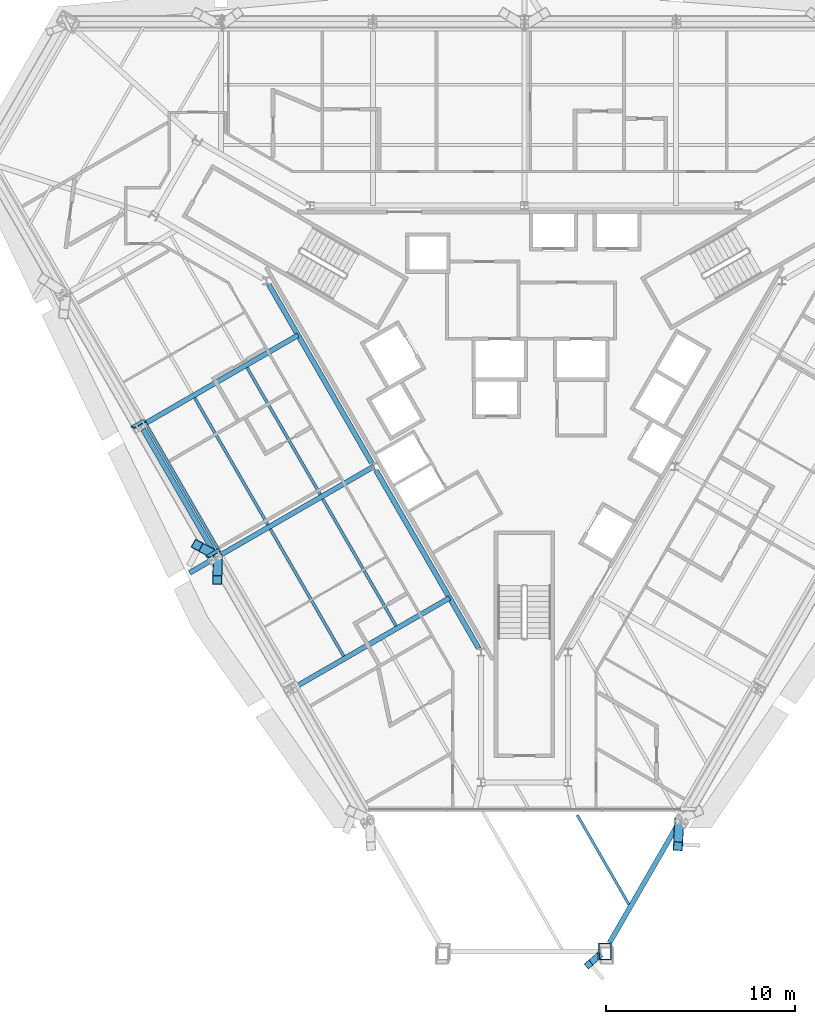
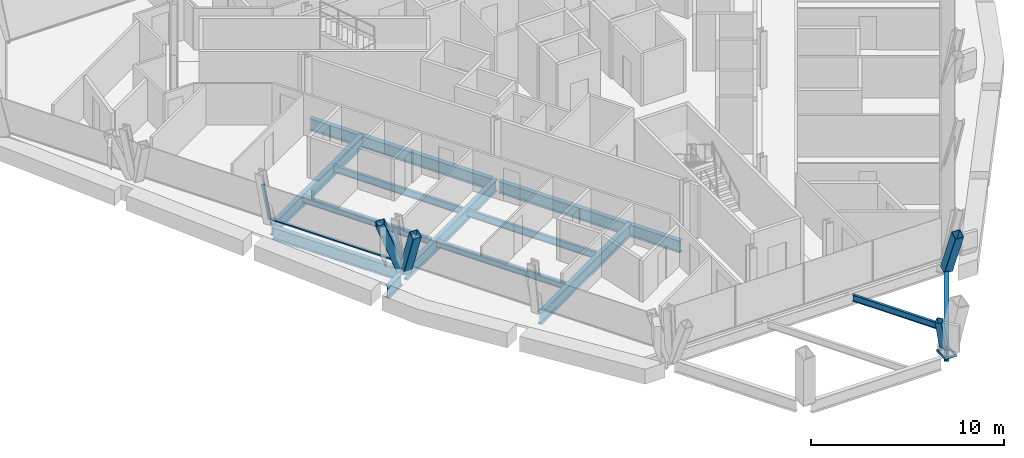
# One storey, part 4 of 15: 13 beams, 8 members, 1 element without a shape of its own.
"""IFC4 building model written with IfcOpenShell, lengths in metres."""

import ifcopenshell
import ifcopenshell.guid

model = None  # the IFC model being written
_history = None  # IfcOwnerHistory: only IFC2X3 demands one
_inside = {}  # id of a spatial element -> (the spatial element, [elements in it])
_under = {}  # id of a project, library or spatial element -> (it, [spatial elements below it])
_declared = {}  # id of a project -> (the project, [libraries it declares])
_typed = {}  # id of a type object -> (the type object, [elements of that type])
_made_of = {}  # id of a material, layer set ... -> (it, [elements and type objects made of it])


def new_model(schema):
    """Start an empty IFC model of exactly this schema.

    Asked for "IFC4X3", IfcOpenShell would pick the latest addendum, in which some entities
    have other attributes; the version numbers below select the first issue.
    IFC2X3 requires an IfcOwnerHistory on every rooted entity: one is made here for all.
    """
    global model, _history
    if schema == "IFC4X3":
        model = ifcopenshell.file(schema_version=(4, 3, 0, 0))
    else:
        model = ifcopenshell.file(schema=schema)
    _inside.clear()
    _under.clear()
    _declared.clear()
    _typed.clear()
    _made_of.clear()
    _history = None
    if model.schema == "IFC2X3":
        org = make("IfcOrganization", Name="unknown")
        user = make(
            "IfcPersonAndOrganization",
            ThePerson=make("IfcPerson", FamilyName="unknown"),
            TheOrganization=org,
        )
        app = make(
            "IfcApplication",
            ApplicationDeveloper=org,
            Version="unknown",
            ApplicationFullName="unknown",
            ApplicationIdentifier="unknown",
        )
        _history = make(
            "IfcOwnerHistory",
            OwningUser=user,
            OwningApplication=app,
            ChangeAction="ADDED",
            CreationDate=0,
        )
    return model


def make(cls, **values):
    """One entity of the class cls with the attributes given. An attribute that is None is left unset."""
    return model.create_entity(
        cls, **{name: value for name, value in values.items() if value is not None}
    )


def rooted(cls, **values):
    """An entity with a GlobalId (a new one), such as an element, a storey or a relation."""
    return make(cls, GlobalId=ifcopenshell.guid.new(), OwnerHistory=_history, **values)


def si_unit(unit_type, name, prefix=None):
    """IfcSIUnit, for example si_unit("LENGTHUNIT", "METRE", prefix="MILLI")."""
    return make("IfcSIUnit", UnitType=unit_type, Prefix=prefix, Name=name)


def assignment(units):
    """IfcUnitAssignment: the units of a project."""
    return None if units is None else make("IfcUnitAssignment", Units=units)


def point(xyz):
    """IfcCartesianPoint."""
    return None if xyz is None else make("IfcCartesianPoint", Coordinates=xyz)


def direction(xyz):
    """IfcDirection."""
    return None if xyz is None else make("IfcDirection", DirectionRatios=xyz)


def frame(location, z_axis=None, x_axis=None):
    """IfcAxis2Placement3D, a coordinate frame: its origin and axes. An axis left out is left unset."""
    return make(
        "IfcAxis2Placement3D",
        Location=point(location),
        Axis=direction(z_axis),
        RefDirection=direction(x_axis),
    )


def frame_2d(location, x_axis=None):
    """IfcAxis2Placement2D, a coordinate frame in the plane: its origin and x axis."""
    return make(
        "IfcAxis2Placement2D", Location=point(location), RefDirection=direction(x_axis)
    )


def origin():
    """The frame at (0, 0, 0) with its axes left unset."""
    return frame((0.0, 0.0, 0.0))


def origin_2d():
    """The frame at (0, 0) in the plane with its x axis left unset."""
    return frame_2d((0.0, 0.0))


def place(relative_to, where):
    """IfcLocalPlacement: puts the frame where relative to a parent placement (None: the world)."""
    return make(
        "IfcLocalPlacement", PlacementRelTo=relative_to, RelativePlacement=where
    )


def context(
    kind, dimensions, precision=None, world=None, true_north=None, identifier=None
):
    """IfcGeometricRepresentationContext, for example the 3D "Model" context."""
    return make(
        "IfcGeometricRepresentationContext",
        ContextIdentifier=identifier,
        ContextType=kind,
        CoordinateSpaceDimension=dimensions,
        Precision=precision,
        WorldCoordinateSystem=world,
        TrueNorth=true_north,
    )


def subcontext(parent, identifier, kind, view, scale=None):
    """IfcGeometricRepresentationSubContext, for example "Body" below "Model"."""
    return make(
        "IfcGeometricRepresentationSubContext",
        ContextIdentifier=identifier,
        ContextType=kind,
        ParentContext=parent,
        TargetScale=scale,
        TargetView=view,
    )


def project(units=None, contexts=None):
    """IfcProject with its units and contexts."""
    return rooted(
        "IfcProject",
        Name="project",
        RepresentationContexts=contexts,
        UnitsInContext=assignment(units),
    )


def spatial(cls, under=None, at=None, **own):
    """A site, building, storey or space (cls), placed at a placement, below another one or the project."""
    s = rooted(cls, ObjectPlacement=at, **own)
    if under is not None:
        _under.setdefault(under.id(), (under, []))[1].append(s)
    return s


def profile(cls, at=None, kind="AREA", **sizes):
    """A parametric profile (cls). Its sizes go by their IFC names, for example OverallWidth=200.0."""
    return make(cls, ProfileType=kind, Position=at, **sizes)


def rectangle(**sizes):
    """IfcRectangleProfileDef."""
    return profile("IfcRectangleProfileDef", **sizes)


def hollow_rectangle(**sizes):
    """IfcRectangleHollowProfileDef."""
    return profile("IfcRectangleHollowProfileDef", **sizes)


def i_section(**sizes):
    """IfcIShapeProfileDef."""
    return profile("IfcIShapeProfileDef", **sizes)


def extrude(swept, where, along, depth):
    """IfcExtrudedAreaSolid: the profile swept, set in the frame where, extruded along a direction by depth."""
    return make(
        "IfcExtrudedAreaSolid",
        SweptArea=swept,
        Position=where,
        ExtrudedDirection=direction(along),
        Depth=depth,
    )


def shape(context_of_items, identifier, shape_type, items):
    """IfcShapeRepresentation: the items that make up one representation, for example the "Body"."""
    return make(
        "IfcShapeRepresentation",
        ContextOfItems=context_of_items,
        RepresentationIdentifier=identifier,
        RepresentationType=shape_type,
        Items=items,
    )


def material(Name=None, Category=None):
    """IfcMaterial."""
    return make("IfcMaterial", Name=Name, Category=Category)


def material_profile(
    of_material, cross_section, Name=None, Category=None, Priority=None
):
    """IfcMaterialProfile: a cross section and its material."""
    return make(
        "IfcMaterialProfile",
        Name=Name,
        Material=of_material,
        Profile=cross_section,
        Priority=Priority,
        Category=Category,
    )


def profile_set(profiles, Name=None, composite=None):
    """IfcMaterialProfileSet."""
    return make(
        "IfcMaterialProfileSet",
        Name=Name,
        MaterialProfiles=profiles,
        CompositeProfile=composite,
    )


def made_of(thing, what):
    """Note that an element or type object is made of a material, layer set ...; save() writes the relation."""
    if what is not None:
        _made_of.setdefault(what.id(), (what, []))[1].append(thing)
    return thing


def type_object(cls, material=None, **own):
    """A type object (cls), such as IfcWallType, which elements share."""
    return made_of(rooted(cls, **own), material)


def element(
    cls,
    number,
    at=None,
    inside=None,
    cuts=None,
    type_object=None,
    material=None,
    context=None,
    identifier="Body",
    shape_type=None,
    held_by="IfcProductDefinitionShape",
    body=None,
    shapes=None,
    **own,
):
    """One element of the class cls, such as IfcWall. Its Tag is "e" and its number.

    at: its placement. inside: the storey or other place that contains it. cuts: it is an
    opening in that element (IfcRelVoidsElement). A single representation is given by context,
    identifier, shape_type and body (its items); several are given by shapes. held_by: the class
    of the entity that holds the representations. save() writes the other relations.
    """
    e = rooted(cls, Tag="e%d" % number, ObjectPlacement=at, **own)
    if body is not None:
        shapes = [shape(context, identifier, shape_type, body)]
    if shapes is not None:
        e.Representation = make(held_by, Representations=shapes)
    if inside is not None:
        _inside.setdefault(inside.id(), (inside, []))[1].append(e)
    if cuts is not None:
        rooted(
            "IfcRelVoidsElement", RelatingBuildingElement=cuts, RelatedOpeningElement=e
        )
    if type_object is not None:
        _typed.setdefault(type_object.id(), (type_object, []))[1].append(e)
    return made_of(e, material)


def aggregate(whole, parts):
    """IfcRelAggregates: a whole, such as a stair, and the parts it consists of."""
    return rooted("IfcRelAggregates", RelatingObject=whole, RelatedObjects=parts)


def save(model, path):
    """Write the relations noted so far, then the file.

    IfcRelAggregates (storeys below a building ...), IfcRelContainedInSpatialStructure (elements
    in a storey), IfcRelDefinesByType, IfcRelAssociatesMaterial and IfcRelDeclares: one each for
    every whole, place, type object, material and project.
    """
    for whole, parts in _under.values():
        aggregate(whole, parts)
    for where, things in _inside.values():
        rooted(
            "IfcRelContainedInSpatialStructure",
            RelatedElements=things,
            RelatingStructure=where,
        )
    for kind, things in _typed.values():
        rooted("IfcRelDefinesByType", RelatedObjects=things, RelatingType=kind)
    for what, things in _made_of.values():
        rooted("IfcRelAssociatesMaterial", RelatedObjects=things, RelatingMaterial=what)
    for by, libraries in _declared.values():
        rooted("IfcRelDeclares", RelatingContext=by, RelatedDefinitions=libraries)
    model.write(path)


model = new_model("IFC4")

# Units and contexts
model_context = context("Model", 3, precision=1e-05, world=origin(), true_north=direction((0.0, 1.0)))
body_context = subcontext(model_context, "Body", "Model", "MODEL_VIEW")
ifc_project = project(units=[si_unit("LENGTHUNIT", "METRE"), si_unit("AREAUNIT", "SQUARE_METRE"), si_unit("VOLUMEUNIT", "CUBIC_METRE"), si_unit("PLANEANGLEUNIT", "RADIAN"), si_unit("MASSUNIT", "GRAM", prefix="KILO")], contexts=[model_context])

# Site, building, storey
site_placement = place(None, origin())
site = spatial("IfcSite", under=ifc_project, at=site_placement, CompositionType="ELEMENT")
building_placement = place(site_placement, origin())
building = spatial("IfcBuilding", under=site, at=building_placement, Name="Verrane Prism Tower", CompositionType="ELEMENT")
storey_placement = place(building_placement, frame((0.0, 0.0, 118.0)))
storey = spatial("IfcBuildingStorey", under=building, at=storey_placement, Name="L28", CompositionType="ELEMENT", Elevation=118.0)

# Member
ifc_material_1 = material(Name="Steel A500 Grade C", Category="steel")
ifc_material_profile_1 = material_profile(ifc_material_1, hollow_rectangle(XDim=0.355712890625, YDim=0.355712890625, WallThickness=0.0126953125, InnerFilletRadius=0.00634765625, OuterFilletRadius=0.01904296875, at=origin_2d()), Name="HSS14x14x1/2")
ifc_profile_set_1 = profile_set([ifc_material_profile_1], Name="Steel A500 Grade C")
member_type_1 = type_object("IfcMemberType", Name="Chamfer brace HSS14x14x1/2", PredefinedType="BRACE", material=ifc_profile_set_1)
member_1_placement = place(storey_placement, frame((3.913818359375, -30.486572265625, 0.724609375), z_axis=(-0.243351127799, -0.211071015564, 0.946693854944), x_axis=(0.655226015188, -0.755432901733, 0.0)))
element("IfcMember", 1, at=member_1_placement, inside=storey, type_object=member_type_1, Name="Chamfer brace S0 L28", PredefinedType="BRACE", context=body_context, shape_type="SweptSolid", body=[
    extrude(hollow_rectangle(XDim=0.355712890625, YDim=0.355712890625, WallThickness=0.0126953125, InnerFilletRadius=0.00634765625, OuterFilletRadius=0.01904296875, at=origin_2d()), origin(), (0.0, 0.0, 1.0), 2.14794921875),
])

# Beams
ifc_material_2 = material(Name="Steel A992", Category="steel")
ifc_material_profile_2 = material_profile(ifc_material_2, i_section(OverallWidth=0.2666015625, OverallDepth=0.7568359375, WebThickness=0.013916015625, FlangeThickness=0.019287109375, FilletRadius=0.0166015625, at=origin_2d()), Name="W30x108")
ifc_profile_set_2 = profile_set([ifc_material_profile_2], Name="Steel A992")
beam_type_1 = type_object("IfcBeamType", Name="Core ring girder W30x108", PredefinedType="BEAM", material=ifc_profile_set_2)
beam_1_placement = place(storey_placement, frame((-13.51513671875, 5.0205078125, -0.62841796875), z_axis=(0.4993706109, -0.866388476937, 0.0), x_axis=(0.866388476937, 0.4993706109, 0.0)))
element("IfcBeam", 2, at=beam_1_placement, inside=storey, type_object=beam_type_1, Name="Core ring girder L28", PredefinedType="BEAM", context=body_context, shape_type="SweptSolid", body=[
    extrude(i_section(OverallWidth=0.2666015625, OverallDepth=0.7568359375, WebThickness=0.013916015625, FlangeThickness=0.019287109375, FilletRadius=0.0166015625, at=origin_2d()), origin(), (0.0, 0.0, 1.0), 10.8740234375),
])
beam_2_placement = place(storey_placement, frame((-7.85498046875, -4.79931640625, -0.62841796875), z_axis=(0.500034555306, -0.86600545235, 0.0), x_axis=(0.86600545235, 0.500034555306, 0.0)))
element("IfcBeam", 3, at=beam_2_placement, inside=storey, type_object=beam_type_1, Name="Core ring girder L28", PredefinedType="BEAM", context=body_context, shape_type="SweptSolid", body=[
    extrude(i_section(OverallWidth=0.2666015625, OverallDepth=0.7568359375, WebThickness=0.013916015625, FlangeThickness=0.019287109375, FilletRadius=0.0166015625, at=origin_2d()), origin(), (0.0, 0.0, 1.0), 10.879150390625),
])

# Members
ifc_material_3 = material(Name="Steel A1085 Grade A", Category="steel")
ifc_material_profile_3 = material_profile(ifc_material_3, hollow_rectangle(XDim=0.508056640625, YDim=0.508056640625, WallThickness=0.025390625, InnerFilletRadius=0.0126953125, OuterFilletRadius=0.0380859375, at=origin_2d()), Name="HSS20x20x1")
ifc_profile_set_3 = profile_set([ifc_material_profile_3], Name="Steel A1085 Grade A")
member_type_2 = type_object("IfcMemberType", Name="Facade brace HSS20x20x1", PredefinedType="BRACE", material=ifc_profile_set_3)
member_2_placement = place(storey_placement, frame((-16.3251953125, -9.294677734375, -0.197509765625), z_axis=(-0.310845676245, 0.16944711008, 0.935234004111), x_axis=(-0.478623368713, -0.878020313502, 0.0)))
element("IfcMember", 4, at=member_2_placement, inside=storey, type_object=member_type_2, Name="Facade brace SW2 L28", PredefinedType="BRACE", context=body_context, shape_type="SweptSolid", body=[
    extrude(hollow_rectangle(XDim=0.508056640625, YDim=0.508056640625, WallThickness=0.025390625, InnerFilletRadius=0.0126953125, OuterFilletRadius=0.0380859375, at=origin_2d()), origin(), (0.0, 0.0, 1.0), 3.16845703125),
])
member_3_placement = place(storey_placement, frame((-16.215087890625, -9.4853515625, -0.197509765625), z_axis=(-0.008863178321, -0.353448137221, 0.935412132894), x_axis=(0.999685737311, -0.025068438681, 0.0)))
element("IfcMember", 5, at=member_3_placement, inside=storey, type_object=member_type_2, Name="Facade brace SW3 L28", PredefinedType="BRACE", context=body_context, shape_type="SweptSolid", body=[
    extrude(hollow_rectangle(XDim=0.508056640625, YDim=0.508056640625, WallThickness=0.025390625, InnerFilletRadius=0.0126953125, OuterFilletRadius=0.0380859375, at=origin_2d()), origin(), (0.0, 0.0, 1.0), 3.167724609375),
])
member_4_placement = place(storey_placement, frame((8.1845703125, -23.403564453125, -0.197509765625), z_axis=(-0.021182502342, -0.395583231241, 0.918185824741), x_axis=(0.998569407128, -0.053470918722, 0.0)))
element("IfcMember", 6, at=member_4_placement, inside=storey, type_object=member_type_2, Name="Facade brace SE0 L28", PredefinedType="BRACE", context=body_context, shape_type="SweptSolid", body=[
    extrude(hollow_rectangle(XDim=0.508056640625, YDim=0.508056640625, WallThickness=0.025390625, InnerFilletRadius=0.0126953125, OuterFilletRadius=0.0380859375, at=origin_2d()), origin(), (0.0, 0.0, 1.0), 3.22705078125),
])

# Beams
ifc_material_4 = material(Name="Steel A992", Category="steel")
ifc_material_profile_4 = material_profile(ifc_material_4, i_section(OverallWidth=0.140380859375, OverallDepth=0.40380859375, WebThickness=0.007080078125, FlangeThickness=0.01123046875, FilletRadius=0.01025390625, at=origin_2d()), Name="W16x31")
ifc_profile_set_4 = profile_set([ifc_material_profile_4], Name="Steel A992")
beam_type_2 = type_object("IfcBeamType", Name="Floor beam W16x31", PredefinedType="BEAM", material=ifc_profile_set_4)
beam_3_placement = place(storey_placement, frame((5.520263671875, -27.75390625, -0.36181640625), z_axis=(-0.499983184303, 0.866035112114, 0.0), x_axis=(-0.866035112114, -0.499983184303, 0.0)))
element("IfcBeam", 7, at=beam_3_placement, inside=storey, type_object=beam_type_2, Name="Floor beam L28", PredefinedType="BEAM", context=body_context, shape_type="SweptSolid", body=[
    extrude(i_section(OverallWidth=0.140380859375, OverallDepth=0.40380859375, WebThickness=0.007080078125, FlangeThickness=0.01123046875, FilletRadius=0.01025390625, at=origin_2d()), origin(), (0.0, 0.0, 1.0), 5.457763671875),
])
ifc_material_5 = material(Name="Steel A992", Category="steel")
ifc_material_profile_5 = material_profile(ifc_material_5, i_section(OverallWidth=0.15234375, OverallDepth=0.449462890625, WebThickness=0.007568359375, FlangeThickness=0.0107421875, FilletRadius=0.01025390625, at=origin_2d()), Name="W18x35")
ifc_profile_set_5 = profile_set([ifc_material_profile_5], Name="Steel A992")
beam_type_3 = type_object("IfcBeamType", Name="Floor beam W18x35", PredefinedType="BEAM", material=ifc_profile_set_5)
beam_4_placement = place(storey_placement, frame((-10.7978515625, -6.077880859375, -0.384765625), z_axis=(-0.499984211786, 0.866034518922, 0.0), x_axis=(-0.866034518922, -0.499984211786, 0.0)))
element("IfcBeam", 8, at=beam_4_placement, inside=storey, type_object=beam_type_3, Name="Floor beam L28", PredefinedType="BEAM", context=body_context, shape_type="SweptSolid", body=[
    extrude(i_section(OverallWidth=0.15234375, OverallDepth=0.449462890625, WebThickness=0.007568359375, FlangeThickness=0.0107421875, FilletRadius=0.01025390625, at=origin_2d()), origin(), (0.0, 0.0, 1.0), 7.750732421875),
])
beam_5_placement = place(storey_placement, frame((-13.568603515625, -7.6767578125, -0.384765625), z_axis=(-0.499981532947, 0.86603606548, 0.0), x_axis=(-0.86603606548, -0.499981532947, 0.0)))
element("IfcBeam", 9, at=beam_5_placement, inside=storey, type_object=beam_type_3, Name="Floor beam L28", PredefinedType="BEAM", context=body_context, shape_type="SweptSolid", body=[
    extrude(i_section(OverallWidth=0.15234375, OverallDepth=0.449462890625, WebThickness=0.007568359375, FlangeThickness=0.0107421875, FilletRadius=0.01025390625, at=origin_2d()), origin(), (0.0, 0.0, 1.0), 7.749267578125),
])
for number, where, z_axis, x_axis, name in (
    (10, (-6.7919921875, -13.0302734375, -0.384765625), (-0.500028499731, 0.866008948832, 0.0), (-0.866008948832, -0.500028499731, 0.0), "Floor beam L28"),
    (11, (-9.559326171875, -14.627197265625, -0.384765625), (-0.500028499731, 0.866008948832, 0.0), (-0.866008948832, -0.500028499731, 0.0), "Floor beam L28"),
):
    element("IfcBeam", number, at=place(storey_placement, frame(where, z_axis=z_axis, x_axis=x_axis)), inside=storey, type_object=beam_type_3, Name=name, PredefinedType="BEAM", context=body_context, shape_type="SweptSolid", body=[
        extrude(i_section(OverallWidth=0.15234375, OverallDepth=0.449462890625, WebThickness=0.007568359375, FlangeThickness=0.0107421875, FilletRadius=0.01025390625, at=origin_2d()), origin(), (0.0, 0.0, 1.0), 7.7568359375),
    ])

# Member
ifc_material_6 = material(Name="Steel A572 Grade 50", Category="steel")
ifc_material_profile_6 = material_profile(ifc_material_6, hollow_rectangle(XDim=0.699951171875, YDim=0.89990234375, WallThickness=0.06494140625, at=origin_2d()), Name="BOX 900x700x65")
ifc_profile_set_6 = profile_set([ifc_material_profile_6], Name="Steel A572 Grade 50")
member_type_3 = type_object("IfcMemberType", Name="Kink node BOX 900x700x65", PredefinedType="COLLAR", material=ifc_profile_set_6)
member_5_placement = place(storey_placement, frame((4.244140625, -30.247314453125, -0.074951171875), z_axis=(0.0, 0.0, 1.0), x_axis=(-1.0, 0.0, 0.0)))
element("IfcMember", 12, at=member_5_placement, inside=storey, type_object=member_type_3, Name="Kink node MC3 L28", PredefinedType="COLLAR", context=body_context, shape_type="SweptSolid", body=[
    extrude(hollow_rectangle(XDim=0.699951171875, YDim=0.89990234375, WallThickness=0.06494140625, at=origin_2d()), origin(), (0.0, 0.0, 1.0), 0.14990234375),
])

# Curtain wall, members
ifc_material_7 = material(Name="Aluminium framed insulated glazing", Category="aluminium")
curtain_wall_type = type_object("IfcCurtainWallType", Name="Curtain wall CW-A 8400 module", PredefinedType="NOTDEFINED", material=ifc_material_7)
curtain_wall_placement = place(storey_placement, origin())
curtain_wall = element("IfcCurtainWall", 13, at=curtain_wall_placement, inside=storey, type_object=curtain_wall_type, Name="Glazed curtain wall south-west face L28", PredefinedType="NOTDEFINED")
ifc_material_8 = material(Name="Aluminium alloy 6063-T6", Category="aluminium")
ifc_material_profile_7 = material_profile(ifc_material_8, rectangle(XDim=0.199951171875, YDim=0.070068359375, at=origin_2d()), Name="Mullion 70x200 aluminium")
ifc_profile_set_7 = profile_set([ifc_material_profile_7], Name="Aluminium alloy 6063-T6")
member_type_4 = type_object("IfcMemberType", Name="Mullion 70x200 aluminium", PredefinedType="MULLION", material=ifc_profile_set_7)
member_6_placement = place(storey_placement, frame((-20.115478515625, -2.1806640625, 0.0), z_axis=(-0.224194102759, -0.129426064153, 0.96591195158), x_axis=(0.851243028132, -0.508558607378, 0.129435118566)))
member_6 = element("IfcMember", 14, at=member_6_placement, type_object=member_type_4, Name="CW27.4 mullion 3", PredefinedType="MULLION", context=body_context, shape_type="SweptSolid", body=[
    extrude(rectangle(XDim=0.199951171875, YDim=0.070068359375, at=origin_2d()), origin(), (0.0, 0.0, 1.0), 2.705078125),
])
member_7_placement = place(storey_placement, frame((-16.159423828125, -9.032958984375, 0.0), z_axis=(-0.224108381383, -0.129428682603, 0.965931493178), x_axis=(0.8513401511, -0.508405286156, 0.129398655843)))
member_7 = element("IfcMember", 15, at=member_7_placement, type_object=member_type_4, Name="CW27.4 mullion 4", PredefinedType="MULLION", context=body_context, shape_type="SweptSolid", body=[
    extrude(rectangle(XDim=0.199951171875, YDim=0.070068359375, at=origin_2d()), origin(), (0.0, 0.0, 1.0), 2.704833984375),
])

# Beams
ifc_material_9 = material(Name="Steel A992", Category="steel")
ifc_material_profile_8 = material_profile(ifc_material_9, i_section(OverallWidth=0.2666015625, OverallDepth=0.76708984375, WebThickness=0.014892578125, FlangeThickness=0.023681640625, FilletRadius=0.0166015625, at=origin_2d()), Name="W30x124")
ifc_profile_set_8 = profile_set([ifc_material_profile_8], Name="Steel A992")
beam_type_4 = type_object("IfcBeamType", Name="Radial girder W30x124", PredefinedType="BEAM", material=ifc_profile_set_8)
beam_6_placement = place(storey_placement, frame((-20.07421875, -2.331298828125, -0.603515625), z_axis=(0.866026073768, 0.499998839552, 0.0), x_axis=(-0.499998839552, 0.866026073768, 0.0)))
element("IfcBeam", 16, at=beam_6_placement, inside=storey, type_object=beam_type_4, Name="Radial girder L28", PredefinedType="BEAM", context=body_context, shape_type="SweptSolid", body=[
    extrude(i_section(OverallWidth=0.2666015625, OverallDepth=0.76708984375, WebThickness=0.014892578125, FlangeThickness=0.023681640625, FilletRadius=0.0166015625, at=origin_2d()), origin(), (0.0, 0.0, 1.0), 9.35400390625),
])
beam_7_placement = place(storey_placement, frame((-16.064208984375, -9.271240234375, -0.603515625), z_axis=(0.866015917575, 0.500016430238, 0.0), x_axis=(-0.500016430238, 0.866015917575, 0.0)))
element("IfcBeam", 17, at=beam_7_placement, inside=storey, type_object=beam_type_4, Name="Radial girder L28", PredefinedType="BEAM", context=body_context, shape_type="SweptSolid", body=[
    extrude(i_section(OverallWidth=0.2666015625, OverallDepth=0.76708984375, WebThickness=0.014892578125, FlangeThickness=0.023681640625, FilletRadius=0.0166015625, at=origin_2d()), origin(), (0.0, 0.0, 1.0), 9.345458984375),
])
beam_8_placement = place(storey_placement, frame((-12.05419921875, -16.22119140625, -0.603515625), z_axis=(0.866018138487, 0.500012583653, 0.0), x_axis=(-0.500012583653, 0.866018138487, 0.0)))
element("IfcBeam", 18, at=beam_8_placement, inside=storey, type_object=beam_type_4, Name="Radial girder L28", PredefinedType="BEAM", context=body_context, shape_type="SweptSolid", body=[
    extrude(i_section(OverallWidth=0.2666015625, OverallDepth=0.76708984375, WebThickness=0.014892578125, FlangeThickness=0.023681640625, FilletRadius=0.0166015625, at=origin_2d()), origin(), (0.0, 0.0, 1.0), 9.347900390625),
])
beam_9_placement = place(storey_placement, frame((-16.47216796875, -9.506591796875, -0.603515625), z_axis=(-0.865988727248, -0.500063520245, 0.0), x_axis=(0.500063520245, -0.865988727248, 0.0)))
element("IfcBeam", 19, at=beam_9_placement, inside=storey, type_object=beam_type_4, Name="Cantilever girder L28", PredefinedType="BEAM", context=body_context, shape_type="SweptSolid", body=[
    extrude(i_section(OverallWidth=0.2666015625, OverallDepth=0.76708984375, WebThickness=0.014892578125, FlangeThickness=0.023681640625, FilletRadius=0.0166015625, at=origin_2d()), origin(), (0.0, 0.0, 1.0), 1.425048828125),
])
ifc_material_10 = material(Name="Steel A992", Category="steel")
ifc_material_profile_9 = material_profile(ifc_material_10, i_section(OverallWidth=0.2666015625, OverallDepth=0.7568359375, WebThickness=0.013916015625, FlangeThickness=0.019287109375, FilletRadius=0.0166015625, at=origin_2d()), Name="W30x108")
ifc_profile_set_9 = profile_set([ifc_material_profile_9], Name="Steel A992")
beam_type_5 = type_object("IfcBeamType", Name="Spandrel beam W30x108", PredefinedType="SPANDREL", material=ifc_profile_set_9)
beam_10_placement = place(storey_placement, frame((-20.173828125, -2.633544921875, -0.53857421875), z_axis=(0.500279205376, -0.865864144464, 0.0), x_axis=(0.865864144464, 0.500279205376, 0.0)))
element("IfcBeam", 20, at=beam_10_placement, inside=storey, type_object=beam_type_5, Name="Spandrel beam L28", PredefinedType="SPANDREL", context=body_context, shape_type="SweptSolid", body=[
    extrude(i_section(OverallWidth=0.2666015625, OverallDepth=0.7568359375, WebThickness=0.013916015625, FlangeThickness=0.019287109375, FilletRadius=0.0166015625, at=origin_2d()), origin(), (0.0, 0.0, 1.0), 7.591064453125),
])
beam_11_placement = place(storey_placement, frame((4.49951171875, -29.7900390625, -0.53857421875), z_axis=(0.499768824934, 0.866158831638, 0.0), x_axis=(-0.866158831638, 0.499768824934, 0.0)))
element("IfcBeam", 21, at=beam_11_placement, inside=storey, type_object=beam_type_5, Name="Spandrel beam L28", PredefinedType="SPANDREL", context=body_context, shape_type="SweptSolid", body=[
    extrude(i_section(OverallWidth=0.2666015625, OverallDepth=0.7568359375, WebThickness=0.013916015625, FlangeThickness=0.019287109375, FilletRadius=0.0166015625, at=origin_2d()), origin(), (0.0, 0.0, 1.0), 7.29248046875),
])

# Member
ifc_material_11 = material(Name="Aluminium alloy 6063-T6", Category="aluminium")
ifc_material_profile_10 = material_profile(ifc_material_11, rectangle(XDim=0.14990234375, YDim=0.070068359375, at=origin_2d()), Name="Transom 70x150 aluminium")
ifc_profile_set_10 = profile_set([ifc_material_profile_10], Name="Aluminium alloy 6063-T6")
member_type_5 = type_object("IfcMemberType", Name="Transom 70x150 aluminium", PredefinedType="USERDEFINED", material=ifc_profile_set_10)
member_8_placement = place(storey_placement, frame((-20.09814453125, -2.2109375, 0.034912109375), z_axis=(0.499992828865, -0.866029544001, 0.0), x_axis=(0.866029544001, 0.499992828865, 0.0)))
member_8 = element("IfcMember", 22, at=member_8_placement, type_object=member_type_5, Name="CW27.4 transom 3", ObjectType="TRANSOM", PredefinedType="USERDEFINED", context=body_context, shape_type="SweptSolid", body=[
    extrude(rectangle(XDim=0.14990234375, YDim=0.070068359375, at=origin_2d()), origin(), (0.0, 0.0, 1.0), 7.84228515625),
])

aggregate(curtain_wall, [member_6, member_7, member_8])

save(model, "model.ifc")
